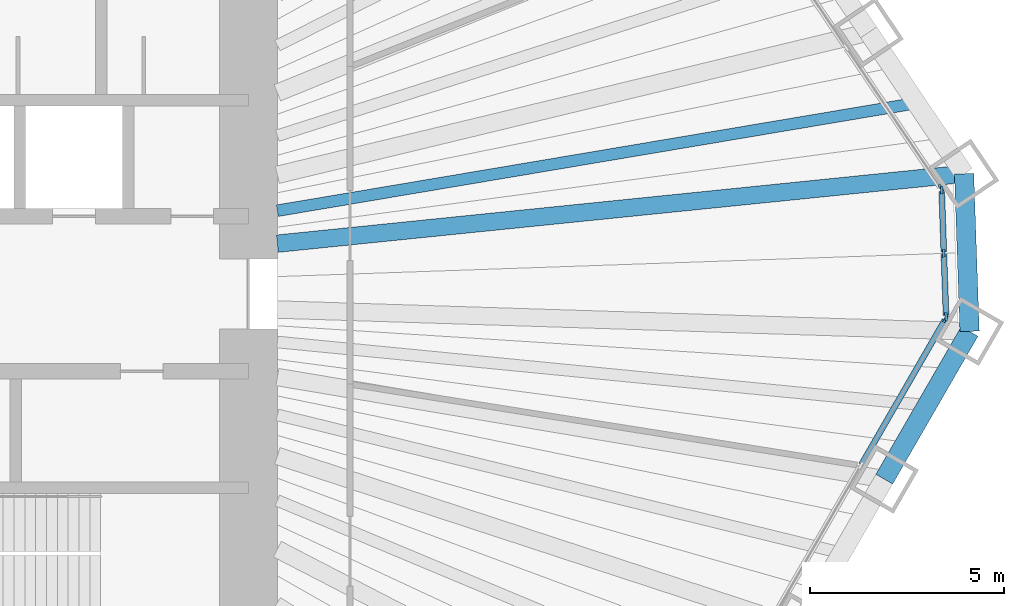
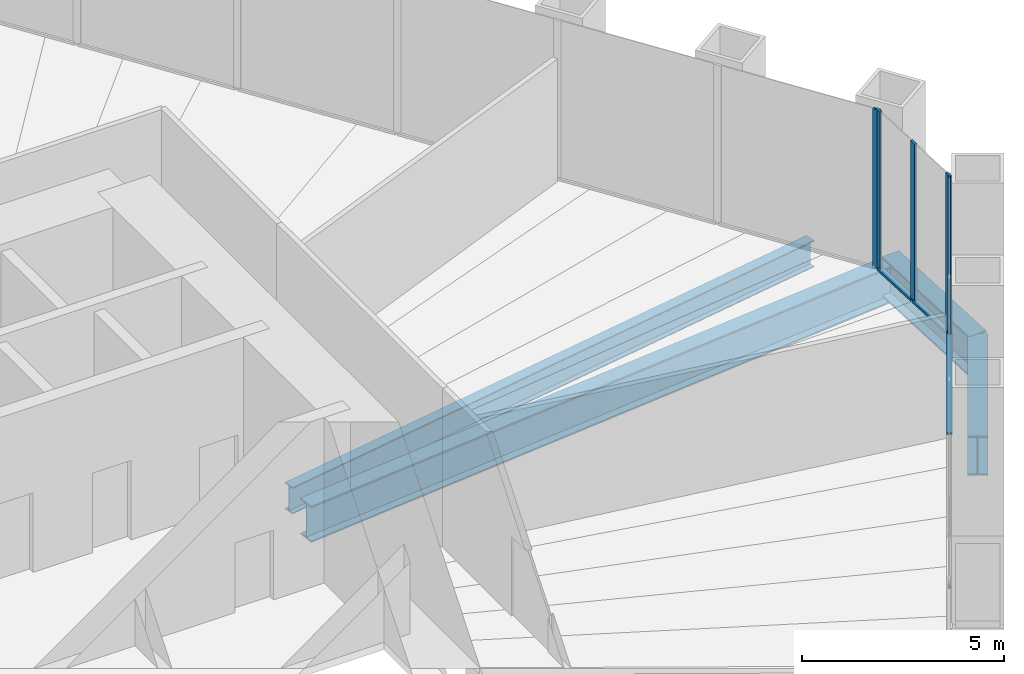
# One storey, part 5 of 13: 8 members, 4 beams, 3 elements without a shape of their own.
"""IFC4 building model written with IfcOpenShell, lengths in metres."""

import ifcopenshell
import ifcopenshell.guid

model = None  # the IFC model being written
_history = None  # IfcOwnerHistory: only IFC2X3 demands one
_inside = {}  # id of a spatial element -> (the spatial element, [elements in it])
_under = {}  # id of a project, library or spatial element -> (it, [spatial elements below it])
_declared = {}  # id of a project -> (the project, [libraries it declares])
_typed = {}  # id of a type object -> (the type object, [elements of that type])
_made_of = {}  # id of a material, layer set ... -> (it, [elements and type objects made of it])


def new_model(schema):
    """Start an empty IFC model of exactly this schema.

    Asked for "IFC4X3", IfcOpenShell would pick the latest addendum, in which some entities
    have other attributes; the version numbers below select the first issue.
    IFC2X3 requires an IfcOwnerHistory on every rooted entity: one is made here for all.
    """
    global model, _history
    if schema == "IFC4X3":
        model = ifcopenshell.file(schema_version=(4, 3, 0, 0))
    else:
        model = ifcopenshell.file(schema=schema)
    _inside.clear()
    _under.clear()
    _declared.clear()
    _typed.clear()
    _made_of.clear()
    _history = None
    if model.schema == "IFC2X3":
        org = make("IfcOrganization", Name="unknown")
        user = make(
            "IfcPersonAndOrganization",
            ThePerson=make("IfcPerson", FamilyName="unknown"),
            TheOrganization=org,
        )
        app = make(
            "IfcApplication",
            ApplicationDeveloper=org,
            Version="unknown",
            ApplicationFullName="unknown",
            ApplicationIdentifier="unknown",
        )
        _history = make(
            "IfcOwnerHistory",
            OwningUser=user,
            OwningApplication=app,
            ChangeAction="ADDED",
            CreationDate=0,
        )
    return model


def make(cls, **values):
    """One entity of the class cls with the attributes given. An attribute that is None is left unset."""
    return model.create_entity(
        cls, **{name: value for name, value in values.items() if value is not None}
    )


def rooted(cls, **values):
    """An entity with a GlobalId (a new one), such as an element, a storey or a relation."""
    return make(cls, GlobalId=ifcopenshell.guid.new(), OwnerHistory=_history, **values)


def si_unit(unit_type, name, prefix=None):
    """IfcSIUnit, for example si_unit("LENGTHUNIT", "METRE", prefix="MILLI")."""
    return make("IfcSIUnit", UnitType=unit_type, Prefix=prefix, Name=name)


def assignment(units):
    """IfcUnitAssignment: the units of a project."""
    return None if units is None else make("IfcUnitAssignment", Units=units)


def point(xyz):
    """IfcCartesianPoint."""
    return None if xyz is None else make("IfcCartesianPoint", Coordinates=xyz)


def direction(xyz):
    """IfcDirection."""
    return None if xyz is None else make("IfcDirection", DirectionRatios=xyz)


def frame(location, z_axis=None, x_axis=None):
    """IfcAxis2Placement3D, a coordinate frame: its origin and axes. An axis left out is left unset."""
    return make(
        "IfcAxis2Placement3D",
        Location=point(location),
        Axis=direction(z_axis),
        RefDirection=direction(x_axis),
    )


def frame_2d(location, x_axis=None):
    """IfcAxis2Placement2D, a coordinate frame in the plane: its origin and x axis."""
    return make(
        "IfcAxis2Placement2D", Location=point(location), RefDirection=direction(x_axis)
    )


def origin():
    """The frame at (0, 0, 0) with its axes left unset."""
    return frame((0.0, 0.0, 0.0))


def origin_2d():
    """The frame at (0, 0) in the plane with its x axis left unset."""
    return frame_2d((0.0, 0.0))


def place(relative_to, where):
    """IfcLocalPlacement: puts the frame where relative to a parent placement (None: the world)."""
    return make(
        "IfcLocalPlacement", PlacementRelTo=relative_to, RelativePlacement=where
    )


def context(
    kind, dimensions, precision=None, world=None, true_north=None, identifier=None
):
    """IfcGeometricRepresentationContext, for example the 3D "Model" context."""
    return make(
        "IfcGeometricRepresentationContext",
        ContextIdentifier=identifier,
        ContextType=kind,
        CoordinateSpaceDimension=dimensions,
        Precision=precision,
        WorldCoordinateSystem=world,
        TrueNorth=true_north,
    )


def subcontext(parent, identifier, kind, view, scale=None):
    """IfcGeometricRepresentationSubContext, for example "Body" below "Model"."""
    return make(
        "IfcGeometricRepresentationSubContext",
        ContextIdentifier=identifier,
        ContextType=kind,
        ParentContext=parent,
        TargetScale=scale,
        TargetView=view,
    )


def project(units=None, contexts=None):
    """IfcProject with its units and contexts."""
    return rooted(
        "IfcProject",
        Name="project",
        RepresentationContexts=contexts,
        UnitsInContext=assignment(units),
    )


def spatial(cls, under=None, at=None, **own):
    """A site, building, storey or space (cls), placed at a placement, below another one or the project."""
    s = rooted(cls, ObjectPlacement=at, **own)
    if under is not None:
        _under.setdefault(under.id(), (under, []))[1].append(s)
    return s


def profile(cls, at=None, kind="AREA", **sizes):
    """A parametric profile (cls). Its sizes go by their IFC names, for example OverallWidth=200.0."""
    return make(cls, ProfileType=kind, Position=at, **sizes)


def rectangle(**sizes):
    """IfcRectangleProfileDef."""
    return profile("IfcRectangleProfileDef", **sizes)


def i_section(**sizes):
    """IfcIShapeProfileDef."""
    return profile("IfcIShapeProfileDef", **sizes)


def extrude(swept, where, along, depth):
    """IfcExtrudedAreaSolid: the profile swept, set in the frame where, extruded along a direction by depth."""
    return make(
        "IfcExtrudedAreaSolid",
        SweptArea=swept,
        Position=where,
        ExtrudedDirection=direction(along),
        Depth=depth,
    )


def shape(context_of_items, identifier, shape_type, items):
    """IfcShapeRepresentation: the items that make up one representation, for example the "Body"."""
    return make(
        "IfcShapeRepresentation",
        ContextOfItems=context_of_items,
        RepresentationIdentifier=identifier,
        RepresentationType=shape_type,
        Items=items,
    )


def material(Name=None, Category=None):
    """IfcMaterial."""
    return make("IfcMaterial", Name=Name, Category=Category)


def material_profile(
    of_material, cross_section, Name=None, Category=None, Priority=None
):
    """IfcMaterialProfile: a cross section and its material."""
    return make(
        "IfcMaterialProfile",
        Name=Name,
        Material=of_material,
        Profile=cross_section,
        Priority=Priority,
        Category=Category,
    )


def profile_set(profiles, Name=None, composite=None):
    """IfcMaterialProfileSet."""
    return make(
        "IfcMaterialProfileSet",
        Name=Name,
        MaterialProfiles=profiles,
        CompositeProfile=composite,
    )


def made_of(thing, what):
    """Note that an element or type object is made of a material, layer set ...; save() writes the relation."""
    if what is not None:
        _made_of.setdefault(what.id(), (what, []))[1].append(thing)
    return thing


def type_object(cls, material=None, **own):
    """A type object (cls), such as IfcWallType, which elements share."""
    return made_of(rooted(cls, **own), material)


def element(
    cls,
    number,
    at=None,
    inside=None,
    cuts=None,
    type_object=None,
    material=None,
    context=None,
    identifier="Body",
    shape_type=None,
    held_by="IfcProductDefinitionShape",
    body=None,
    shapes=None,
    **own,
):
    """One element of the class cls, such as IfcWall. Its Tag is "e" and its number.

    at: its placement. inside: the storey or other place that contains it. cuts: it is an
    opening in that element (IfcRelVoidsElement). A single representation is given by context,
    identifier, shape_type and body (its items); several are given by shapes. held_by: the class
    of the entity that holds the representations. save() writes the other relations.
    """
    e = rooted(cls, Tag="e%d" % number, ObjectPlacement=at, **own)
    if body is not None:
        shapes = [shape(context, identifier, shape_type, body)]
    if shapes is not None:
        e.Representation = make(held_by, Representations=shapes)
    if inside is not None:
        _inside.setdefault(inside.id(), (inside, []))[1].append(e)
    if cuts is not None:
        rooted(
            "IfcRelVoidsElement", RelatingBuildingElement=cuts, RelatedOpeningElement=e
        )
    if type_object is not None:
        _typed.setdefault(type_object.id(), (type_object, []))[1].append(e)
    return made_of(e, material)


def aggregate(whole, parts):
    """IfcRelAggregates: a whole, such as a stair, and the parts it consists of."""
    return rooted("IfcRelAggregates", RelatingObject=whole, RelatedObjects=parts)


def save(model, path):
    """Write the relations noted so far, then the file.

    IfcRelAggregates (storeys below a building ...), IfcRelContainedInSpatialStructure (elements
    in a storey), IfcRelDefinesByType, IfcRelAssociatesMaterial and IfcRelDeclares: one each for
    every whole, place, type object, material and project.
    """
    for whole, parts in _under.values():
        aggregate(whole, parts)
    for where, things in _inside.values():
        rooted(
            "IfcRelContainedInSpatialStructure",
            RelatedElements=things,
            RelatingStructure=where,
        )
    for kind, things in _typed.values():
        rooted("IfcRelDefinesByType", RelatedObjects=things, RelatingType=kind)
    for what, things in _made_of.values():
        rooted("IfcRelAssociatesMaterial", RelatedObjects=things, RelatingMaterial=what)
    for by, libraries in _declared.values():
        rooted("IfcRelDeclares", RelatingContext=by, RelatedDefinitions=libraries)
    model.write(path)


model = new_model("IFC4")

# Units and contexts
model_context = context("Model", 3, precision=1e-05, world=origin(), true_north=direction((0.0, 1.0)))
body_context = subcontext(model_context, "Body", "Model", "MODEL_VIEW")
ifc_project = project(units=[si_unit("LENGTHUNIT", "METRE"), si_unit("AREAUNIT", "SQUARE_METRE"), si_unit("VOLUMEUNIT", "CUBIC_METRE"), si_unit("PLANEANGLEUNIT", "RADIAN"), si_unit("MASSUNIT", "GRAM", prefix="KILO")], contexts=[model_context])

# Site, building, storey
site_placement = place(None, origin())
site = spatial("IfcSite", under=ifc_project, at=site_placement, CompositionType="ELEMENT")
building_placement = place(site_placement, origin())
building = spatial("IfcBuilding", under=site, at=building_placement, Name="Qingtian Harvest Tower", CompositionType="ELEMENT")
storey_placement = place(building_placement, frame((0.0, 0.0, 37.0)))
storey = spatial("IfcBuildingStorey", under=building, at=storey_placement, Name="L07", CompositionType="ELEMENT", Elevation=37.0)

# Beams
ifc_material_1 = material(Name="Steel SM570MC", Category="steel")
ifc_material_profile_1 = material_profile(ifc_material_1, i_section(OverallWidth=0.449951171875, OverallDepth=1.10009765625, WebThickness=0.02197265625, FlangeThickness=0.044921875, at=origin_2d()), Name="H1100x450x22x45")
ifc_profile_set_1 = profile_set([ifc_material_profile_1], Name="Steel SM570MC")
beam_type_1 = type_object("IfcBeamType", Name="Corner floor beam FB8 H1100x450x22x45", PredefinedType="BEAM", material=ifc_profile_set_1)
beam_1_placement = place(storey_placement, frame((30.476318359375, 3.100830078125, -0.75), z_axis=(-0.994864371567, -0.101217005423, 0.0), x_axis=(0.101217005423, -0.994864371567, 0.0)))
element("IfcBeam", 1, at=beam_1_placement, inside=storey, type_object=beam_type_1, Name="Floor beam FB8 NE6", PredefinedType="BEAM", context=body_context, shape_type="SweptSolid", body=[
    extrude(i_section(OverallWidth=0.449951171875, OverallDepth=1.10009765625, WebThickness=0.02197265625, FlangeThickness=0.044921875, at=origin_2d()), origin(), (0.0, 0.0, 1.0), 17.81787109375),
])
ifc_material_2 = material(Name="Steel SN490B", Category="steel")
ifc_material_profile_2 = material_profile(ifc_material_2, i_section(OverallWidth=0.300048828125, OverallDepth=0.800048828125, WebThickness=0.013916015625, FlangeThickness=0.02587890625, at=origin_2d()), Name="H800x300x14x26")
ifc_profile_set_2 = profile_set([ifc_material_profile_2], Name="Steel SN490B")
beam_type_2 = type_object("IfcBeamType", Name="Floor joist J1 H800x300x14x26", PredefinedType="JOIST", material=ifc_profile_set_2)
beam_2_placement = place(storey_placement, frame((29.244873046875, 4.926513671875, -0.60009765625), z_axis=(-0.986107238024, -0.166109948877, 0.0), x_axis=(0.166109948877, -0.986107238024, 0.0)))
element("IfcBeam", 2, at=beam_2_placement, inside=storey, type_object=beam_type_2, Name="Floor joist J1 NE5", PredefinedType="JOIST", context=body_context, shape_type="SweptSolid", body=[
    extrude(i_section(OverallWidth=0.300048828125, OverallDepth=0.800048828125, WebThickness=0.013916015625, FlangeThickness=0.02587890625, at=origin_2d()), origin(), (0.0, 0.0, 1.0), 16.727294921875),
])

# Curtain wall, member
ifc_material_3 = material(Name="Bronze-anodised aluminium curtain wall", Category="aluminium")
curtain_wall_type = type_object("IfcCurtainWallType", Name="Curtain wall CW2 farm reception", PredefinedType="USERDEFINED", material=ifc_material_3)
curtain_wall_1_placement = place(storey_placement, origin())
curtain_wall_1 = element("IfcCurtainWall", 3, at=curtain_wall_1_placement, inside=storey, type_object=curtain_wall_type, Name="Curtain wall CW2 L07 NE0-5", ObjectType="RECESSED CURTAIN WALL", PredefinedType="USERDEFINED")
ifc_material_4 = material(Name="Bronze-anodised aluminium mullion", Category="aluminium")
ifc_material_profile_3 = material_profile(ifc_material_4, rectangle(XDim=0.06494140625, YDim=0.199951171875, at=origin_2d()), Name="AL 65x200")
ifc_profile_set_3 = profile_set([ifc_material_profile_3], Name="Bronze-anodised aluminium mullion")
member_type_1 = type_object("IfcMemberType", Name="Mullion CWM 65x200", PredefinedType="MULLION", material=ifc_profile_set_3)
member_1_placement = place(storey_placement, frame((29.8779296875, 2.736328125, 0.0), z_axis=(0.0, 0.0, 1.0), x_axis=(0.829037572555, 0.559192903471, 0.0)))
member_1 = element("IfcMember", 4, at=member_1_placement, type_object=member_type_1, Name="CW2 mullion 7", PredefinedType="MULLION", context=body_context, shape_type="SweptSolid", body=[
    extrude(rectangle(XDim=0.06494140625, YDim=0.199951171875, at=origin_2d()), origin(), (0.0, 0.0, 1.0), 4.800048828125),
])
aggregate(curtain_wall_1, [member_1])

# Curtain wall, members
curtain_wall_2_placement = place(storey_placement, origin())
curtain_wall_2 = element("IfcCurtainWall", 5, at=curtain_wall_2_placement, inside=storey, type_object=curtain_wall_type, Name="Curtain wall CW2 L07 NEC", ObjectType="RECESSED CURTAIN WALL", PredefinedType="USERDEFINED")
member_2_placement = place(storey_placement, frame((29.897216796875, 2.677001953125, 0.0), z_axis=(0.0, 0.0, 1.0), x_axis=(0.999390827019, 0.034899496703, 0.0)))
member_2 = element("IfcMember", 6, at=member_2_placement, type_object=member_type_1, Name="CW2 mullion 1", PredefinedType="MULLION", context=body_context, shape_type="SweptSolid", body=[
    extrude(rectangle(XDim=0.06494140625, YDim=0.199951171875, at=origin_2d()), origin(), (0.0, 0.0, 1.0), 4.800048828125),
])
member_3_placement = place(storey_placement, frame((29.9541015625, 1.046142578125, 0.0), z_axis=(0.0, 0.0, 1.0), x_axis=(0.999390827019, 0.034899496703, 0.0)))
member_3 = element("IfcMember", 7, at=member_3_placement, type_object=member_type_1, Name="CW2 mullion 2", PredefinedType="MULLION", context=body_context, shape_type="SweptSolid", body=[
    extrude(rectangle(XDim=0.06494140625, YDim=0.199951171875, at=origin_2d()), origin(), (0.0, 0.0, 1.0), 4.800048828125),
])
member_4_placement = place(storey_placement, frame((30.010986328125, -0.5849609375, 0.0), z_axis=(0.0, 0.0, 1.0), x_axis=(0.999390827019, 0.034899496703, 0.0)))
member_4 = element("IfcMember", 8, at=member_4_placement, type_object=member_type_1, Name="CW2 mullion 3", PredefinedType="MULLION", context=body_context, shape_type="SweptSolid", body=[
    extrude(rectangle(XDim=0.06494140625, YDim=0.199951171875, at=origin_2d()), origin(), (0.0, 0.0, 1.0), 4.800048828125),
])

# Curtain wall, member
curtain_wall_3_placement = place(storey_placement, origin())
curtain_wall_3 = element("IfcCurtainWall", 9, at=curtain_wall_3_placement, inside=storey, type_object=curtain_wall_type, Name="Curtain wall CW2 L07 SE0-5", ObjectType="RECESSED CURTAIN WALL", PredefinedType="USERDEFINED")
member_5_placement = place(storey_placement, frame((29.995849609375, -0.6455078125, 0.0), z_axis=(0.0, 0.0, 1.0), x_axis=(0.866025403784, -0.5, 0.0)))
member_5 = element("IfcMember", 10, at=member_5_placement, type_object=member_type_1, Name="CW2 mullion 1", PredefinedType="MULLION", context=body_context, shape_type="SweptSolid", body=[
    extrude(rectangle(XDim=0.06494140625, YDim=0.199951171875, at=origin_2d()), origin(), (0.0, 0.0, 1.0), 4.800048828125),
])

# Beams
ifc_material_5 = material(Name="Steel SM570MC", Category="steel")
ifc_material_profile_4 = material_profile(ifc_material_5, i_section(OverallWidth=0.5, OverallDepth=1.199951171875, WebThickness=0.02490234375, FlangeThickness=0.050048828125, at=origin_2d()), Name="H1200x500x25x50")
ifc_profile_set_4 = profile_set([ifc_material_profile_4], Name="Steel SM570MC")
beam_type_3 = type_object("IfcBeamType", Name="Spandrel beam SB1 H1200x500x25x50", PredefinedType="SPANDREL", material=ifc_profile_set_4)
beam_3_placement = place(storey_placement, frame((30.476318359375, 3.100830078125, -0.60009765625), z_axis=(0.03490639867, -0.999390585973, 0.0), x_axis=(0.999390585973, 0.03490639867, 0.0)))
element("IfcBeam", 11, at=beam_3_placement, inside=storey, type_object=beam_type_3, Name="Spandrel SB1 NEC", PredefinedType="SPANDREL", context=body_context, shape_type="SweptSolid", body=[
    extrude(i_section(OverallWidth=0.5, OverallDepth=1.199951171875, WebThickness=0.02490234375, FlangeThickness=0.050048828125, at=origin_2d()), origin(), (0.0, 0.0, 1.0), 4.070556640625),
])
beam_4_placement = place(storey_placement, frame((30.618408203125, -0.96728515625, -0.60009765625), z_axis=(-0.50001992892, -0.866013897511, 0.0), x_axis=(0.866013897511, -0.50001992892, 0.0)))
element("IfcBeam", 12, at=beam_4_placement, inside=storey, type_object=beam_type_3, Name="Spandrel SB1 SE0", PredefinedType="SPANDREL", context=body_context, shape_type="SweptSolid", body=[
    extrude(i_section(OverallWidth=0.5, OverallDepth=1.199951171875, WebThickness=0.02490234375, FlangeThickness=0.050048828125, at=origin_2d()), origin(), (0.0, 0.0, 1.0), 4.404541015625),
])

# Member
ifc_material_6 = material(Name="Bronze-anodised aluminium transom", Category="aluminium")
ifc_material_profile_5 = material_profile(ifc_material_6, rectangle(XDim=0.14990234375, YDim=0.06494140625, at=origin_2d()), Name="AL 65x150")
ifc_profile_set_5 = profile_set([ifc_material_profile_5], Name="Bronze-anodised aluminium transom")
member_type_2 = type_object("IfcMemberType", Name="Transom CWT 65x150", PredefinedType="USERDEFINED", material=ifc_profile_set_5)
member_6_placement = place(storey_placement, frame((29.898193359375, 2.64453125, 0.032470703125), z_axis=(0.034902326647, -0.999390728191, 0.0), x_axis=(0.999390728191, 0.034902326647, 0.0)))
member_6 = element("IfcMember", 13, at=member_6_placement, type_object=member_type_2, Name="CW2 transom 1.1", ObjectType="TRANSOM", PredefinedType="USERDEFINED", context=body_context, shape_type="SweptSolid", body=[
    extrude(rectangle(XDim=0.14990234375, YDim=0.06494140625, at=origin_2d()), origin(), (0.0, 0.0, 1.0), 1.56689453125),
])

member_7_placement = place(storey_placement, frame((29.955322265625, 1.013427734375, 0.032470703125), z_axis=(0.034902326647, -0.999390728191, 0.0), x_axis=(0.999390728191, 0.034902326647, 0.0)))
member_7 = element("IfcMember", 14, at=member_7_placement, type_object=member_type_2, Name="CW2 transom 2.1", ObjectType="TRANSOM", PredefinedType="USERDEFINED", context=body_context, shape_type="SweptSolid", body=[
    extrude(rectangle(XDim=0.14990234375, YDim=0.06494140625, at=origin_2d()), origin(), (0.0, 0.0, 1.0), 1.56689453125),
])

aggregate(curtain_wall_2, [member_2, member_3, member_4, member_6, member_7])

member_8_placement = place(storey_placement, frame((29.979736328125, -0.673583984375, 0.032470703125), z_axis=(-0.499985768833, -0.866033619997, 0.0), x_axis=(0.866033619997, -0.499985768833, 0.0)))
member_8 = element("IfcMember", 15, at=member_8_placement, type_object=member_type_2, Name="CW2 transom 1.1", ObjectType="TRANSOM", PredefinedType="USERDEFINED", context=body_context, shape_type="SweptSolid", body=[
    extrude(rectangle(XDim=0.14990234375, YDim=0.06494140625, at=origin_2d()), origin(), (0.0, 0.0, 1.0), 4.307373046875),
])

aggregate(curtain_wall_3, [member_5, member_8])

save(model, "model.ifc")
